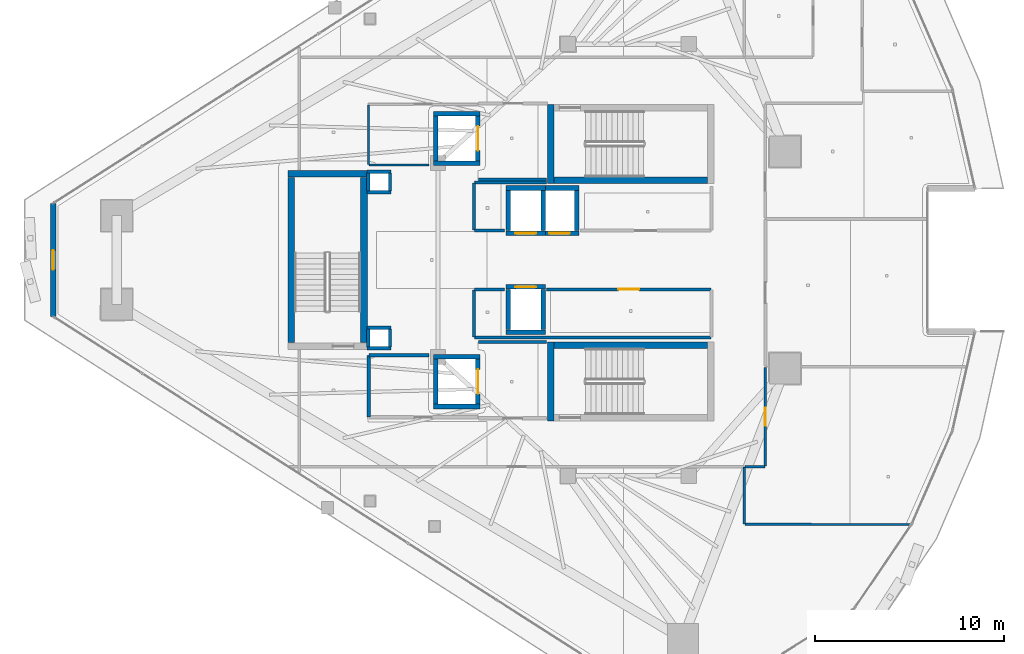
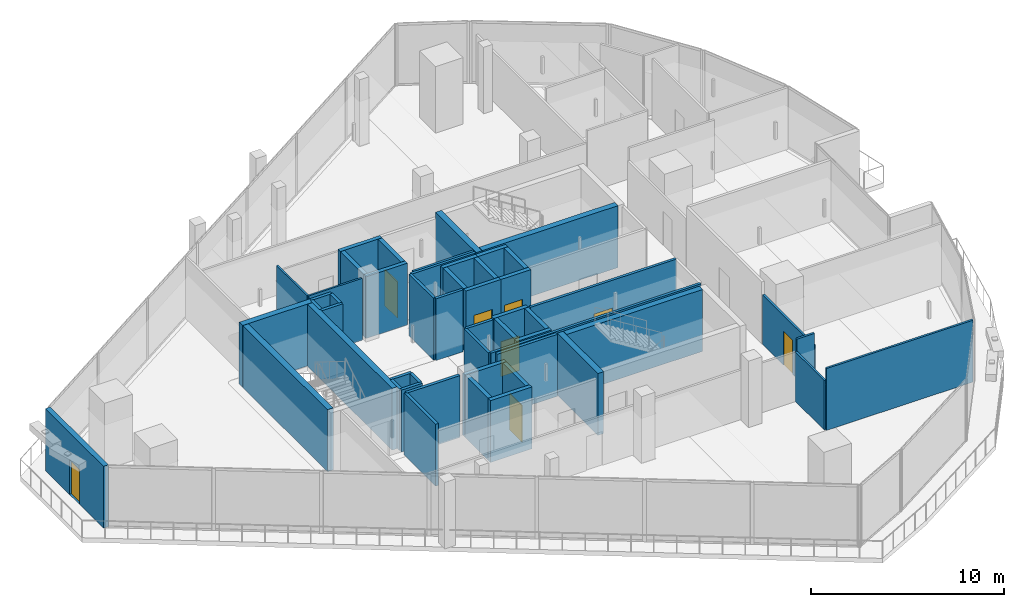
# One storey, part 25 of 34: 52 walls, 8 doors, 8 openings.
"""IFC4 building model written with IfcOpenShell, lengths in metres."""

from ifc_helpers import new_model, si_unit, direction, frame, frame_2d, origin, place, context, subcontext, project, spatial, rectangle, extrude, material, layer, layer_set, type_object, element, fill, save


model = new_model("IFC4")

# Units and contexts
model_context = context("Model", 3, precision=1e-05, world=origin(), true_north=direction((0.0, 1.0)))
body_context = subcontext(model_context, "Body", "Model", "MODEL_VIEW")
ifc_project = project(units=[si_unit("LENGTHUNIT", "METRE"), si_unit("AREAUNIT", "SQUARE_METRE"), si_unit("VOLUMEUNIT", "CUBIC_METRE"), si_unit("PLANEANGLEUNIT", "RADIAN"), si_unit("MASSUNIT", "GRAM", prefix="KILO")], contexts=[model_context])

# Site, building, storey
site_placement = place(None, origin())
site = spatial("IfcSite", under=ifc_project, at=site_placement, CompositionType="ELEMENT")
building_placement = place(site_placement, origin())
building = spatial("IfcBuilding", under=site, at=building_placement, Name="Qorvath Tower", CompositionType="ELEMENT")
storey_placement = place(building_placement, frame((0.0, 0.0, 268.199951171875)))
storey = spatial("IfcBuildingStorey", under=building, at=storey_placement, Name="L62", CompositionType="ELEMENT", Elevation=268.199951171875)

# Walls
ifc_material_1 = material(Name="Gypsum shaftliner on steel studs", Category="steel")
ifc_layer_1 = layer(ifc_material_1, 0.179931640625)
ifc_layer_set_1 = layer_set([ifc_layer_1], Name="FW-LOBBY")
wall_type_1 = type_object("IfcWallType", Name="FW-LOBBY", PredefinedType="PARTITIONING", material=ifc_layer_set_1)
for number, where, z_axis, x_axis, name in (
    (1, (-32.989990234375, 3.594970703125, 0.0), (0.0, 0.0, 1.0), (-1.0, 0.0, 0.0), "MEP Riser Shaft Enclosure Wall N-L62-S"),
    (2, (-34.260009765625, 4.675048828125, 0.0), (0.0, 0.0, 1.0), (1.0, 0.0, 0.0), "MEP Riser Shaft Enclosure Wall N-L62-N"),
):
    element("IfcWall", number, at=place(storey_placement, frame(where, z_axis=z_axis, x_axis=x_axis)), inside=storey, type_object=wall_type_1, Name=name, PredefinedType="PARTITIONING", context=body_context, shape_type="SweptSolid", body=[
        extrude(rectangle(XDim=1.27001953125, YDim=0.179931640625, at=frame_2d((0.635009765625, 0.0))), origin(), (0.0, 0.0, 1.0), 3.91015625),
    ])
for number, where, z_axis, x_axis, name in (
    (3, (-34.205078125, 3.659912109375, 0.0), (0.0, 0.0, 1.0), (0.0, 1.0, 0.0), "MEP Riser Shaft Enclosure Wall N-L62-W"),
    (4, (-33.044921875, 4.610107421875, 0.0), (0.0, 0.0, 1.0), (0.0, -1.0, 0.0), "MEP Riser Shaft Enclosure Wall N-L62-E"),
):
    element("IfcWall", number, at=place(storey_placement, frame(where, z_axis=z_axis, x_axis=x_axis)), inside=storey, type_object=wall_type_1, Name=name, PredefinedType="PARTITIONING", context=body_context, shape_type="SweptSolid", body=[
        extrude(rectangle(XDim=0.9501953125, YDim=0.179931640625, at=frame_2d((0.47509765625, 0.0))), origin(), (0.0, 0.0, 1.0), 3.91015625),
    ])
for number, where, z_axis, x_axis, name in (
    (5, (-32.989990234375, -4.675048828125, 0.0), (0.0, 0.0, 1.0), (-1.0, 0.0, 0.0), "MEP Riser Shaft Enclosure Wall S-L62-S"),
    (6, (-34.260009765625, -3.594970703125, 0.0), (0.0, 0.0, 1.0), (1.0, 0.0, 0.0), "MEP Riser Shaft Enclosure Wall S-L62-N"),
):
    element("IfcWall", number, at=place(storey_placement, frame(where, z_axis=z_axis, x_axis=x_axis)), inside=storey, type_object=wall_type_1, Name=name, PredefinedType="PARTITIONING", context=body_context, shape_type="SweptSolid", body=[
        extrude(rectangle(XDim=1.27001953125, YDim=0.179931640625, at=frame_2d((0.635009765625, 0.0))), origin(), (0.0, 0.0, 1.0), 3.91015625),
    ])
for number, where, z_axis, x_axis, name in (
    (7, (-34.205078125, -4.610107421875, 0.0), (0.0, 0.0, 1.0), (0.0, 1.0, 0.0), "MEP Riser Shaft Enclosure Wall S-L62-W"),
    (8, (-33.044921875, -3.659912109375, 0.0), (0.0, 0.0, 1.0), (0.0, -1.0, 0.0), "MEP Riser Shaft Enclosure Wall S-L62-E"),
):
    element("IfcWall", number, at=place(storey_placement, frame(where, z_axis=z_axis, x_axis=x_axis)), inside=storey, type_object=wall_type_1, Name=name, PredefinedType="PARTITIONING", context=body_context, shape_type="SweptSolid", body=[
        extrude(rectangle(XDim=0.9501953125, YDim=0.179931640625, at=frame_2d((0.47509765625, 0.0))), origin(), (0.0, 0.0, 1.0), 3.91015625),
    ])
for number, where, z_axis, x_axis, name in (
    (9, (-28.35498046875, 4.25, 0.0), (0.0, 0.0, 1.0), (1.0, 0.0, 0.0), "Interior Partition IW-T1-L62-001"),
    (10, (-24.73291015625, -4.35009765625, 0.0), (0.0, 0.0, 1.0), (-1.0, 0.0, 0.0), "Interior Partition IW-T1-L62-004"),
):
    element("IfcWall", number, at=place(storey_placement, frame(where, z_axis=z_axis, x_axis=x_axis)), inside=storey, type_object=wall_type_1, Name=name, PredefinedType="PARTITIONING", context=body_context, shape_type="SweptSolid", body=[
        extrude(rectangle(XDim=3.6220703125, YDim=0.179931640625, at=frame_2d((1.81103515625, 0.0))), origin(), (0.0, 0.0, 1.0), 3.91015625),
    ])
wall_1_placement = place(storey_placement, frame((-30.965087890625, -5.050048828125, 0.0), z_axis=(0.0, 0.0, 1.0), x_axis=(-1.0, 0.0, 0.0)))
element("IfcWall", 11, at=wall_1_placement, inside=storey, type_object=wall_type_1, Name="Interior Partition IW-T1-L62-018", PredefinedType="PARTITIONING", context=body_context, shape_type="SweptSolid", body=[
    extrude(rectangle(XDim=3.189697265625, YDim=0.179931640625, at=frame_2d((1.5947265625, 0.0))), origin(), (0.0, 0.0, 1.0), 3.91015625),
])
wall_2_placement = place(storey_placement, frame((-34.179931640625, -5.074951171875, 0.0), z_axis=(0.0, 0.0, 1.0), x_axis=(0.0, -1.0, 0.0)))
element("IfcWall", 12, at=wall_2_placement, inside=storey, type_object=wall_type_1, Name="Interior Partition IW-T1-L62-019", PredefinedType="PARTITIONING", context=body_context, shape_type="SweptSolid", body=[
    extrude(rectangle(XDim=3.250244140625, YDim=0.179931640625, at=frame_2d((1.625, 0.0))), origin(), (0.0, 0.0, 1.0), 3.91015625),
])
ifc_material_2 = material(Name="Double acoustic gypsum board on steel studs", Category="steel")
ifc_layer_2 = layer(ifc_material_2, 0.159912109375)
ifc_layer_set_2 = layer_set([ifc_layer_2], Name="IW-ACOUSTIC-160")
wall_type_2 = type_object("IfcWallType", Name="IW-ACOUSTIC-160", PredefinedType="PARTITIONING", material=ifc_layer_set_2)
wall_3_placement = place(storey_placement, frame((-28.60009765625, 4.09521484375, 0.0), z_axis=(0.0, 0.0, 1.0), x_axis=(0.0, -1.0, 0.0)))
element("IfcWall", 13, at=wall_3_placement, inside=storey, type_object=wall_type_2, Name="Interior Partition IW-T1-L62-008", PredefinedType="PARTITIONING", context=body_context, shape_type="SweptSolid", body=[
    extrude(rectangle(XDim=2.510009765625, YDim=0.159912109375, at=frame_2d((1.2548828125, 0.0))), origin(), (0.0, 0.0, 1.0), 3.91015625),
])
wall_4_placement = place(storey_placement, frame((-28.5751953125, 1.56005859375, 0.0), z_axis=(0.0, 0.0, 1.0), x_axis=(1.0, 0.0, 0.0)))
element("IfcWall", 14, at=wall_4_placement, inside=storey, type_object=wall_type_2, Name="Interior Partition IW-T1-L62-009", PredefinedType="PARTITIONING", context=body_context, shape_type="SweptSolid", body=[
    extrude(rectangle(XDim=1.609130859375, YDim=0.159912109375, at=frame_2d((0.8046875, 0.0))), origin(), (0.0, 0.0, 1.0), 3.91015625),
])
wall_5_placement = place(storey_placement, frame((-24.73291015625, 4.1201171875, 0.0), z_axis=(0.0, 0.0, 1.0), x_axis=(-1.0, 0.0, 0.0)))
element("IfcWall", 15, at=wall_5_placement, inside=storey, type_object=wall_type_2, Name="Interior Partition IW-T1-L62-012", PredefinedType="PARTITIONING", context=body_context, shape_type="SweptSolid", body=[
    extrude(rectangle(XDim=3.84228515625, YDim=0.159912109375, at=frame_2d((1.921142578125, 0.0))), origin(), (0.0, 0.0, 1.0), 3.91015625),
])
wall_6_placement = place(storey_placement, frame((-28.60009765625, -1.585205078125, 0.0), z_axis=(0.0, 0.0, 1.0), x_axis=(0.0, -1.0, 0.0)))
element("IfcWall", 16, at=wall_6_placement, inside=storey, type_object=wall_type_2, Name="Interior Partition IW-T1-L62-013", PredefinedType="PARTITIONING", context=body_context, shape_type="SweptSolid", body=[
    extrude(rectangle(XDim=2.510009765625, YDim=0.159912109375, at=frame_2d((1.2548828125, 0.0))), origin(), (0.0, 0.0, 1.0), 3.91015625),
])
wall_7_placement = place(storey_placement, frame((-28.5751953125, -4.1201171875, 0.0), z_axis=(0.0, 0.0, 1.0), x_axis=(1.0, 0.0, 0.0)))
element("IfcWall", 17, at=wall_7_placement, inside=storey, type_object=wall_type_2, Name="Interior Partition IW-T1-L62-014", PredefinedType="PARTITIONING", context=body_context, shape_type="SweptSolid", body=[
    extrude(rectangle(XDim=12.55029296875, YDim=0.159912109375, at=frame_2d((6.275146484375, 0.0))), origin(), (0.0, 0.0, 1.0), 3.91015625),
])

# Wall, opening, door
wall_8_placement = place(storey_placement, frame((-16.02490234375, -1.56005859375, 0.0), z_axis=(0.0, 0.0, 1.0), x_axis=(-1.0, 0.0, 0.0)))
wall_8 = element("IfcWall", 18, at=wall_8_placement, inside=storey, type_object=wall_type_2, Name="Interior Partition IW-T1-L62-016", PredefinedType="PARTITIONING", context=body_context, shape_type="SweptSolid", body=[
    extrude(rectangle(XDim=8.708984375, YDim=0.159912109375, at=frame_2d((4.3544921875, 0.0))), origin(), (0.0, 0.0, 1.0), 3.91015625),
])
opening_1_placement = place(wall_8_placement, frame((3.804443359375, 0.0, 0.0)))
opening_1 = element("IfcOpeningElement", 19, at=opening_1_placement, cuts=wall_8, Name="Opening D-T1-L62-05", PredefinedType="OPENING", context=body_context, shape_type="SweptSolid", body=[
    extrude(rectangle(XDim=1.10009765625, YDim=2.14990234375, at=frame_2d((0.550048828125, 1.074951171875))), frame((0.0, 0.08984375, 0.0), z_axis=(0.0, -1.0, 0.0), x_axis=(1.0, 0.0, 0.0)), (0.0, 0.0, 1.0), 0.179931640625),
])
ifc_material_3 = material(Name="Anodised aluminium acoustic framed glass", Category="aluminium")
door_type_1 = type_object("IfcDoorType", Name="D-03", OperationType="NOTDEFINED", PredefinedType="DOOR", material=ifc_material_3)
door_1_placement = place(opening_1_placement, origin())
door_1 = element("IfcDoor", 20, at=door_1_placement, inside=storey, type_object=door_type_1, Name="L62-RCS South Executive Boardroom Door D-T1-L62-05", OperationType="SINGLE_SWING_RIGHT", OverallHeight=2.14990234375, OverallWidth=1.10009765625, PredefinedType="DOOR", context=body_context, shape_type="SweptSolid", body=[
    extrude(rectangle(XDim=1.10009765625, YDim=2.14990234375, at=frame_2d((0.550048828125, 1.074951171875))), frame((0.0, 0.02490234375, 0.0), z_axis=(0.0, -1.0, 0.0), x_axis=(1.0, 0.0, 0.0)), (0.0, 0.0, 1.0), 0.050048828125),
])
fill(opening_1, door_1)

# Walls
wall_9_placement = place(storey_placement, frame((-26.966064453125, -1.56005859375, 0.0), z_axis=(0.0, 0.0, 1.0), x_axis=(-1.0, 0.0, 0.0)))
element("IfcWall", 21, at=wall_9_placement, inside=storey, type_object=wall_type_2, Name="Interior Partition IW-T1-L62-017", PredefinedType="PARTITIONING", context=body_context, shape_type="SweptSolid", body=[
    extrude(rectangle(XDim=1.609130859375, YDim=0.159912109375, at=frame_2d((0.8046875, 0.0))), origin(), (0.0, 0.0, 1.0), 3.91015625),
])
ifc_material_4 = material(Name="Gypsum board on metal studs with mineral wool", Category="gypsum")
ifc_layer_3 = layer(ifc_material_4, 0.125)
ifc_layer_set_3 = layer_set([ifc_layer_3], Name="IW-PART-125")
wall_type_3 = type_object("IfcWallType", Name="IW-PART-125", PredefinedType="PARTITIONING", material=ifc_layer_set_3)
wall_10_placement = place(storey_placement, frame((-14.22509765625, -14.021484375, 0.0), z_axis=(0.0, 0.0, 1.0), x_axis=(0.999999627134, -0.000863557536, 0.0)))
element("IfcWall", 22, at=wall_10_placement, inside=storey, type_object=wall_type_3, Name="Interior Partition IW-T1-L62-021", PredefinedType="PARTITIONING", context=body_context, shape_type="SweptSolid", body=[
    extrude(rectangle(XDim=8.76416015625, YDim=0.125, at=frame_2d((4.382080078125, 0.0))), origin(), (0.0, 0.0, 1.0), 3.91015625),
])
wall_11_placement = place(storey_placement, frame((-14.25, -13.99658203125, 0.0), z_axis=(0.0, 0.0, 1.0), x_axis=(0.0, 1.0, 0.0)))
element("IfcWall", 23, at=wall_11_placement, inside=storey, type_object=wall_type_3, Name="Interior Partition IW-T1-L62-022", PredefinedType="PARTITIONING", context=body_context, shape_type="SweptSolid", body=[
    extrude(rectangle(XDim=3.013671875, YDim=0.125, at=frame_2d((1.5068359375, 0.0))), origin(), (0.0, 0.0, 1.0), 3.130126953125),
])

# Wall, opening, door
wall_12_placement = place(storey_placement, frame((-13.14208984375, -5.691650390625, 0.0), z_axis=(0.0, 0.0, 1.0), x_axis=(0.0, -1.0, 0.0)))
wall_12 = element("IfcWall", 24, at=wall_12_placement, inside=storey, type_object=wall_type_3, Name="Interior Partition IW-T1-L62-029", PredefinedType="PARTITIONING", context=body_context, shape_type="SweptSolid", body=[
    extrude(rectangle(XDim=5.241455078125, YDim=0.125, at=frame_2d((2.62060546875, 0.0))), origin(), (0.0, 0.0, 1.0), 3.130126953125),
])
opening_2_placement = place(wall_12_placement, frame((2.145751953125, 0.0, 0.0)))
opening_2 = element("IfcOpeningElement", 25, at=opening_2_placement, cuts=wall_12, Name="Opening D-T1-L62-08", PredefinedType="OPENING", context=body_context, shape_type="SweptSolid", body=[
    extrude(rectangle(XDim=0.949951171875, YDim=2.14990234375, at=frame_2d((0.47509765625, 1.074951171875))), frame((0.0, 0.072509765625, 0.0), z_axis=(0.0, -1.0, 0.0), x_axis=(1.0, 0.0, 0.0)), (0.0, 0.0, 1.0), 0.14501953125),
])
ifc_material_5 = material(Name="Solid-core American white oak veneer", Category="wood")
door_type_2 = type_object("IfcDoorType", Name="D-01", OperationType="NOTDEFINED", PredefinedType="DOOR", material=ifc_material_5)
door_2_placement = place(opening_2_placement, origin())
door_2 = element("IfcDoor", 26, at=door_2_placement, inside=storey, type_object=door_type_2, Name="L62-02 Staff Refreshment Pantry and Coffee Bar Door D-T1-L62-08", OperationType="SINGLE_SWING_LEFT", OverallHeight=2.14990234375, OverallWidth=0.949951171875, PredefinedType="DOOR", context=body_context, shape_type="SweptSolid", body=[
    extrude(rectangle(XDim=0.949951171875, YDim=2.14990234375, at=frame_2d((0.47509765625, 1.074951171875))), frame((0.0, 0.02490234375, 0.0), z_axis=(0.0, -1.0, 0.0), x_axis=(1.0, 0.0, 0.0)), (0.0, 0.0, 1.0), 0.050048828125),
])
fill(opening_2, door_2)

# Walls
wall_13_placement = place(storey_placement, frame((-14.216796875, -10.9580078125, 0.0), z_axis=(0.0, 0.0, 1.0), x_axis=(1.0, 0.0, 0.0)))
element("IfcWall", 27, at=wall_13_placement, inside=storey, type_object=wall_type_3, Name="Interior Partition IW-T1-L62-030", PredefinedType="PARTITIONING", context=body_context, shape_type="SweptSolid", body=[
    extrude(rectangle(XDim=1.0498046875, YDim=0.125, at=frame_2d((0.52490234375, 0.0))), origin(), (0.0, 0.0, 1.0), 3.91015625),
])
ifc_material_6 = material(Name="Moisture-resistant cement board on metal studs", Category="gypsum")
ifc_layer_4 = layer(ifc_material_6, 0.110107421875)
ifc_layer_set_4 = layer_set([ifc_layer_4], Name="IW-WC-110")
wall_type_4 = type_object("IfcWallType", Name="IW-WC-110", PredefinedType="PARTITIONING", material=ifc_layer_set_4)
wall_14_placement = place(storey_placement, frame((-34.179931640625, 8.22509765625, 0.0), z_axis=(0.0, 0.0, 1.0), x_axis=(0.0, -1.0, 0.0)))
element("IfcWall", 28, at=wall_14_placement, inside=storey, type_object=wall_type_4, Name="Interior Partition IW-T1-L62-005", PredefinedType="PARTITIONING", context=body_context, shape_type="SweptSolid", body=[
    extrude(rectangle(XDim=3.150146484375, YDim=0.110107421875, at=frame_2d((1.5751953125, 0.0))), origin(), (0.0, 0.0, 1.0), 3.91015625),
])
wall_15_placement = place(storey_placement, frame((-34.15478515625, 5.050048828125, 0.0), z_axis=(0.0, 0.0, 1.0), x_axis=(1.0, 0.0, 0.0)))
element("IfcWall", 29, at=wall_15_placement, inside=storey, type_object=wall_type_4, Name="Interior Partition IW-T1-L62-006", PredefinedType="PARTITIONING", context=body_context, shape_type="SweptSolid", body=[
    extrude(rectangle(XDim=3.189697265625, YDim=0.110107421875, at=frame_2d((1.5947265625, 0.0))), origin(), (0.0, 0.0, 1.0), 3.91015625),
])
ifc_material_7 = material(Name="Concrete C60/75", Category="concrete")
ifc_layer_5 = layer(ifc_material_7, 0.260009765625)
ifc_layer_set_5 = layer_set([ifc_layer_5], Name="SW-SHAFT")
wall_type_5 = type_object("IfcWallType", Name="SW-SHAFT", PredefinedType="SHEAR", material=ifc_layer_set_5)
for number, where, z_axis, x_axis, name in (
    (30, (-28.260009765625, 5.1298828125, 0.0), (0.0, 0.0, 1.0), (-1.0, 0.0, 0.0), "Hoistway Wall FSAE-1 L62 S"),
    (31, (-30.739990234375, 7.77001953125, 0.0), (0.0, 0.0, 1.0), (1.0, 0.0, 0.0), "Hoistway Wall FSAE-1 L62 N"),
):
    element("IfcWall", number, at=place(storey_placement, frame(where, z_axis=z_axis, x_axis=x_axis)), inside=storey, type_object=wall_type_5, Name=name, PredefinedType="SHEAR", context=body_context, shape_type="SweptSolid", body=[
        extrude(rectangle(XDim=2.47998046875, YDim=0.239990234375, at=frame_2d((1.239990234375, 0.0))), origin(), (0.0, 0.0, 1.0), 3.91015625),
    ])
wall_16_placement = place(storey_placement, frame((-30.6201171875, 5.261962890625, 0.0), z_axis=(0.0, 0.0, 1.0), x_axis=(0.0, 1.0, 0.0)))
element("IfcWall", 32, at=wall_16_placement, inside=storey, type_object=wall_type_5, Name="Hoistway Wall FSAE-1 L62 W", PredefinedType="SHEAR", context=body_context, shape_type="SweptSolid", body=[
    extrude(rectangle(XDim=2.3759765625, YDim=0.239990234375, at=frame_2d((1.18798828125, 0.0))), origin(), (0.0, 0.0, 1.0), 3.91015625),
])

# Wall, opening, door
wall_17_placement = place(storey_placement, frame((-28.3798828125, 7.637939453125, 0.0), z_axis=(0.0, 0.0, 1.0), x_axis=(0.0, -1.0, 0.0)))
wall_17 = element("IfcWall", 33, at=wall_17_placement, inside=storey, type_object=wall_type_5, Name="Hoistway Wall FSAE-1 L62 E", PredefinedType="SHEAR", context=body_context, shape_type="SweptSolid", body=[
    extrude(rectangle(XDim=2.3759765625, YDim=0.239990234375, at=frame_2d((1.18798828125, 0.0))), origin(), (0.0, 0.0, 1.0), 3.91015625),
])
opening_3_placement = place(wall_17_placement, frame((0.537841796875, 0.0, 0.0)))
opening_3 = element("IfcOpeningElement", 34, at=opening_3_placement, cuts=wall_17, Name="Opening LD-FSAE-1-L62", PredefinedType="OPENING", context=body_context, shape_type="SweptSolid", body=[
    extrude(rectangle(XDim=1.300048828125, YDim=2.300048828125, at=frame_2d((0.64990234375, 1.14990234375))), frame((0.0, 0.1298828125, 0.0), z_axis=(0.0, -1.0, 0.0), x_axis=(1.0, 0.0, 0.0)), (0.0, 0.0, 1.0), 0.260009765625),
])
ifc_material_8 = material(Name="Brushed stainless steel AISI 316", Category="steel")
door_type_3 = type_object("IfcDoorType", Name="LD-02", OperationType="NOTDEFINED", PredefinedType="DOOR", material=ifc_material_8)
door_3_placement = place(opening_3_placement, origin())
door_3 = element("IfcDoor", 35, at=door_3_placement, inside=storey, type_object=door_type_3, Name="Elevator Landing Sliding Door LD-FSAE-1-L62", OperationType="DOUBLE_DOOR_SLIDING", OverallHeight=2.300048828125, OverallWidth=1.300048828125, PredefinedType="DOOR", context=body_context, shape_type="SweptSolid", body=[
    extrude(rectangle(XDim=1.300048828125, YDim=2.300048828125, at=frame_2d((0.64990234375, 1.14990234375))), frame((0.0, 0.02490234375, 0.0), z_axis=(0.0, -1.0, 0.0), x_axis=(1.0, 0.0, 0.0)), (0.0, 0.0, 1.0), 0.050048828125),
])
fill(opening_3, door_3)

# Walls
for number, where, z_axis, x_axis, name in (
    (36, (-28.260009765625, -7.77001953125, 0.0), (0.0, 0.0, 1.0), (-1.0, 0.0, 0.0), "Hoistway Wall FSAE-2 L62 S"),
    (37, (-30.739990234375, -5.1298828125, 0.0), (0.0, 0.0, 1.0), (1.0, 0.0, 0.0), "Hoistway Wall FSAE-2 L62 N"),
):
    element("IfcWall", number, at=place(storey_placement, frame(where, z_axis=z_axis, x_axis=x_axis)), inside=storey, type_object=wall_type_5, Name=name, PredefinedType="SHEAR", context=body_context, shape_type="SweptSolid", body=[
        extrude(rectangle(XDim=2.47998046875, YDim=0.239990234375, at=frame_2d((1.239990234375, 0.0))), origin(), (0.0, 0.0, 1.0), 3.91015625),
    ])
wall_18_placement = place(storey_placement, frame((-30.6201171875, -7.637939453125, 0.0), z_axis=(0.0, 0.0, 1.0), x_axis=(0.0, 1.0, 0.0)))
element("IfcWall", 38, at=wall_18_placement, inside=storey, type_object=wall_type_5, Name="Hoistway Wall FSAE-2 L62 W", PredefinedType="SHEAR", context=body_context, shape_type="SweptSolid", body=[
    extrude(rectangle(XDim=2.3759765625, YDim=0.239990234375, at=frame_2d((1.18798828125, 0.0))), origin(), (0.0, 0.0, 1.0), 3.91015625),
])

# Wall, opening, door
wall_19_placement = place(storey_placement, frame((-28.3798828125, -5.261962890625, 0.0), z_axis=(0.0, 0.0, 1.0), x_axis=(0.0, -1.0, 0.0)))
wall_19 = element("IfcWall", 39, at=wall_19_placement, inside=storey, type_object=wall_type_5, Name="Hoistway Wall FSAE-2 L62 E", PredefinedType="SHEAR", context=body_context, shape_type="SweptSolid", body=[
    extrude(rectangle(XDim=2.3759765625, YDim=0.239990234375, at=frame_2d((1.18798828125, 0.0))), origin(), (0.0, 0.0, 1.0), 3.91015625),
])
opening_4_placement = place(wall_19_placement, frame((0.5380859375, 0.0, 0.0)))
opening_4 = element("IfcOpeningElement", 40, at=opening_4_placement, cuts=wall_19, Name="Opening LD-FSAE-2-L62", PredefinedType="OPENING", context=body_context, shape_type="SweptSolid", body=[
    extrude(rectangle(XDim=1.300048828125, YDim=2.300048828125, at=frame_2d((0.64990234375, 1.14990234375))), frame((0.0, 0.1298828125, 0.0), z_axis=(0.0, -1.0, 0.0), x_axis=(1.0, 0.0, 0.0)), (0.0, 0.0, 1.0), 0.260009765625),
])
door_4_placement = place(opening_4_placement, origin())
door_4 = element("IfcDoor", 41, at=door_4_placement, inside=storey, type_object=door_type_3, Name="Elevator Landing Sliding Door LD-FSAE-2-L62", OperationType="DOUBLE_DOOR_SLIDING", OverallHeight=2.300048828125, OverallWidth=1.300048828125, PredefinedType="DOOR", context=body_context, shape_type="SweptSolid", body=[
    extrude(rectangle(XDim=1.300048828125, YDim=2.300048828125, at=frame_2d((0.64990234375, 1.14990234375))), frame((0.0, 0.02490234375, 0.0), z_axis=(0.0, -1.0, 0.0), x_axis=(1.0, 0.0, 0.0)), (0.0, 0.0, 1.0), 0.050048828125),
])
fill(opening_4, door_4)

wall_20_placement = place(storey_placement, frame((-24.81005859375, 1.429931640625, 0.0), z_axis=(0.0, 0.0, 1.0), x_axis=(-1.0, 0.0, 0.0)))
wall_20 = element("IfcWall", 42, at=wall_20_placement, inside=storey, type_object=wall_type_5, Name="Hoistway Wall PH-1 L62 S", PredefinedType="SHEAR", context=body_context, shape_type="SweptSolid", body=[
    extrude(rectangle(XDim=2.079833984375, YDim=0.239990234375, at=frame_2d((1.0400390625, 0.0))), origin(), (0.0, 0.0, 1.0), 3.91015625),
])
opening_5_placement = place(wall_20_placement, frame((0.489990234375, 0.0, 0.0)))
opening_5 = element("IfcOpeningElement", 43, at=opening_5_placement, cuts=wall_20, Name="Opening LD-PH-1-L62", PredefinedType="OPENING", context=body_context, shape_type="SweptSolid", body=[
    extrude(rectangle(XDim=1.10009765625, YDim=2.199951171875, at=frame_2d((0.550048828125, 1.10009765625))), frame((0.0, 0.1298828125, 0.0), z_axis=(0.0, -1.0, 0.0), x_axis=(1.0, 0.0, 0.0)), (0.0, 0.0, 1.0), 0.260009765625),
])
ifc_material_9 = material(Name="Brushed stainless steel AISI 316", Category="steel")
door_type_4 = type_object("IfcDoorType", Name="LD-01", OperationType="NOTDEFINED", PredefinedType="DOOR", material=ifc_material_9)
door_5_placement = place(opening_5_placement, origin())
door_5 = element("IfcDoor", 44, at=door_5_placement, inside=storey, type_object=door_type_4, Name="Elevator Landing Sliding Door LD-PH-1-L62", OperationType="DOUBLE_DOOR_SLIDING", OverallHeight=2.199951171875, OverallWidth=1.10009765625, PredefinedType="DOOR", context=body_context, shape_type="SweptSolid", body=[
    extrude(rectangle(XDim=1.10009765625, YDim=2.199951171875, at=frame_2d((0.550048828125, 1.10009765625))), frame((0.0, 0.02490234375, 0.0), z_axis=(0.0, -1.0, 0.0), x_axis=(1.0, 0.0, 0.0)), (0.0, 0.0, 1.0), 0.050048828125),
])
fill(opening_5, door_5)

# Walls
wall_21_placement = place(storey_placement, frame((-26.889892578125, 3.820068359375, 0.0), z_axis=(0.0, 0.0, 1.0), x_axis=(1.0, 0.0, 0.0)))
element("IfcWall", 45, at=wall_21_placement, inside=storey, type_object=wall_type_5, Name="Hoistway Wall PH-1 L62 N", PredefinedType="SHEAR", context=body_context, shape_type="SweptSolid", body=[
    extrude(rectangle(XDim=2.079833984375, YDim=0.239990234375, at=frame_2d((1.0400390625, 0.0))), origin(), (0.0, 0.0, 1.0), 3.91015625),
])
for number, where, z_axis, x_axis, name in (
    (46, (-26.77001953125, 1.56201171875, 0.0), (0.0, 0.0, 1.0), (0.0, 1.0, 0.0), "Hoistway Wall PH-1 L62 W"),
    (47, (-24.929931640625, 3.68798828125, 0.0), (0.0, 0.0, 1.0), (0.0, -1.0, 0.0), "Hoistway Wall PH-1 L62 E"),
):
    element("IfcWall", number, at=place(storey_placement, frame(where, z_axis=z_axis, x_axis=x_axis)), inside=storey, type_object=wall_type_5, Name=name, PredefinedType="SHEAR", context=body_context, shape_type="SweptSolid", body=[
        extrude(rectangle(XDim=2.1259765625, YDim=0.239990234375, at=frame_2d((1.06298828125, 0.0))), origin(), (0.0, 0.0, 1.0), 3.91015625),
    ])

# Wall, opening, door
wall_22_placement = place(storey_placement, frame((-23.010009765625, 1.429931640625, 0.0), z_axis=(0.0, 0.0, 1.0), x_axis=(-1.0, 0.0, 0.0)))
wall_22 = element("IfcWall", 48, at=wall_22_placement, inside=storey, type_object=wall_type_5, Name="Hoistway Wall PH-2 L62 S", PredefinedType="SHEAR", context=body_context, shape_type="SweptSolid", body=[
    extrude(rectangle(XDim=1.800048828125, YDim=0.239990234375, at=frame_2d((0.89990234375, 0.0))), origin(), (0.0, 0.0, 1.0), 3.91015625),
])
opening_6_placement = place(wall_22_placement, frame((0.489990234375, 0.0, 0.0)))
opening_6 = element("IfcOpeningElement", 49, at=opening_6_placement, cuts=wall_22, Name="Opening LD-PH-2-L62", PredefinedType="OPENING", context=body_context, shape_type="SweptSolid", body=[
    extrude(rectangle(XDim=1.10009765625, YDim=2.199951171875, at=frame_2d((0.550048828125, 1.10009765625))), frame((0.0, 0.1298828125, 0.0), z_axis=(0.0, -1.0, 0.0), x_axis=(1.0, 0.0, 0.0)), (0.0, 0.0, 1.0), 0.260009765625),
])
door_6_placement = place(opening_6_placement, origin())
door_6 = element("IfcDoor", 50, at=door_6_placement, inside=storey, type_object=door_type_4, Name="Elevator Landing Sliding Door LD-PH-2-L62", OperationType="DOUBLE_DOOR_SLIDING", OverallHeight=2.199951171875, OverallWidth=1.10009765625, PredefinedType="DOOR", context=body_context, shape_type="SweptSolid", body=[
    extrude(rectangle(XDim=1.10009765625, YDim=2.199951171875, at=frame_2d((0.550048828125, 1.10009765625))), frame((0.0, 0.02490234375, 0.0), z_axis=(0.0, -1.0, 0.0), x_axis=(1.0, 0.0, 0.0)), (0.0, 0.0, 1.0), 0.050048828125),
])
fill(opening_6, door_6)

# Walls
wall_23_placement = place(storey_placement, frame((-24.81005859375, 3.820068359375, 0.0), z_axis=(0.0, 0.0, 1.0), x_axis=(1.0, 0.0, 0.0)))
element("IfcWall", 51, at=wall_23_placement, inside=storey, type_object=wall_type_5, Name="Hoistway Wall PH-2 L62 N", PredefinedType="SHEAR", context=body_context, shape_type="SweptSolid", body=[
    extrude(rectangle(XDim=1.800048828125, YDim=0.239990234375, at=frame_2d((0.89990234375, 0.0))), origin(), (0.0, 0.0, 1.0), 3.91015625),
])
wall_24_placement = place(storey_placement, frame((-23.1298828125, 3.68798828125, 0.0), z_axis=(0.0, 0.0, 1.0), x_axis=(0.0, -1.0, 0.0)))
element("IfcWall", 52, at=wall_24_placement, inside=storey, type_object=wall_type_5, Name="Hoistway Wall PH-2 L62 E", PredefinedType="SHEAR", context=body_context, shape_type="SweptSolid", body=[
    extrude(rectangle(XDim=2.1259765625, YDim=0.239990234375, at=frame_2d((1.06298828125, 0.0))), origin(), (0.0, 0.0, 1.0), 3.91015625),
])
wall_25_placement = place(storey_placement, frame((-24.81005859375, -3.820068359375, 0.0), z_axis=(0.0, 0.0, 1.0), x_axis=(-1.0, 0.0, 0.0)))
element("IfcWall", 53, at=wall_25_placement, inside=storey, type_object=wall_type_5, Name="Hoistway Wall PH-3 L62 S", PredefinedType="SHEAR", context=body_context, shape_type="SweptSolid", body=[
    extrude(rectangle(XDim=2.079833984375, YDim=0.239990234375, at=frame_2d((1.0400390625, 0.0))), origin(), (0.0, 0.0, 1.0), 3.91015625),
])

# Wall, opening, door
wall_26_placement = place(storey_placement, frame((-26.889892578125, -1.429931640625, 0.0), z_axis=(0.0, 0.0, 1.0), x_axis=(1.0, 0.0, 0.0)))
wall_26 = element("IfcWall", 54, at=wall_26_placement, inside=storey, type_object=wall_type_5, Name="Hoistway Wall PH-3 L62 N", PredefinedType="SHEAR", context=body_context, shape_type="SweptSolid", body=[
    extrude(rectangle(XDim=2.079833984375, YDim=0.239990234375, at=frame_2d((1.0400390625, 0.0))), origin(), (0.0, 0.0, 1.0), 3.91015625),
])
opening_7_placement = place(wall_26_placement, frame((0.48974609375, 0.0, 0.0)))
opening_7 = element("IfcOpeningElement", 55, at=opening_7_placement, cuts=wall_26, Name="Opening LD-PH-3-L62", PredefinedType="OPENING", context=body_context, shape_type="SweptSolid", body=[
    extrude(rectangle(XDim=1.10009765625, YDim=2.199951171875, at=frame_2d((0.550048828125, 1.10009765625))), frame((0.0, 0.1298828125, 0.0), z_axis=(0.0, -1.0, 0.0), x_axis=(1.0, 0.0, 0.0)), (0.0, 0.0, 1.0), 0.260009765625),
])
door_7_placement = place(opening_7_placement, origin())
door_7 = element("IfcDoor", 56, at=door_7_placement, inside=storey, type_object=door_type_4, Name="Elevator Landing Sliding Door LD-PH-3-L62", OperationType="DOUBLE_DOOR_SLIDING", OverallHeight=2.199951171875, OverallWidth=1.10009765625, PredefinedType="DOOR", context=body_context, shape_type="SweptSolid", body=[
    extrude(rectangle(XDim=1.10009765625, YDim=2.199951171875, at=frame_2d((0.550048828125, 1.10009765625))), frame((0.0, 0.02490234375, 0.0), z_axis=(0.0, -1.0, 0.0), x_axis=(1.0, 0.0, 0.0)), (0.0, 0.0, 1.0), 0.050048828125),
])
fill(opening_7, door_7)

# Walls
for number, where, z_axis, x_axis, name in (
    (57, (-26.77001953125, -3.68798828125, 0.0), (0.0, 0.0, 1.0), (0.0, 1.0, 0.0), "Hoistway Wall PH-3 L62 W"),
    (58, (-24.929931640625, -1.56201171875, 0.0), (0.0, 0.0, 1.0), (0.0, -1.0, 0.0), "Hoistway Wall PH-3 L62 E"),
):
    element("IfcWall", number, at=place(storey_placement, frame(where, z_axis=z_axis, x_axis=x_axis)), inside=storey, type_object=wall_type_5, Name=name, PredefinedType="SHEAR", context=body_context, shape_type="SweptSolid", body=[
        extrude(rectangle(XDim=2.1259765625, YDim=0.239990234375, at=frame_2d((1.06298828125, 0.0))), origin(), (0.0, 0.0, 1.0), 3.91015625),
    ])
ifc_material_10 = material(Name="Concrete C60/75", Category="concrete")
ifc_layer_6 = layer(ifc_material_10, 0.35009765625)
ifc_layer_set_6 = layer_set([ifc_layer_6], Name="SW-STAIR")
wall_type_6 = type_object("IfcWallType", Name="SW-STAIR", PredefinedType="SHEAR", material=ifc_layer_set_6)
wall_27_placement = place(storey_placement, frame((-24.52490234375, 8.260009765625, 0.0), z_axis=(0.0, 0.0, 1.0), x_axis=(0.0, -1.0, 0.0)))
element("IfcWall", 59, at=wall_27_placement, inside=storey, type_object=wall_type_6, Name="Stair TS1 Shear Wall L62 NEAR", PredefinedType="SHEAR", context=body_context, shape_type="SweptSolid", body=[
    extrude(rectangle(XDim=4.2099609375, YDim=0.35009765625, at=frame_2d((2.10498046875, 0.0))), origin(), (0.0, 0.0, 1.0), 3.91015625),
])
wall_28_placement = place(storey_placement, frame((-24.3349609375, 4.22509765625, 0.0), z_axis=(0.0, 0.0, 1.0), x_axis=(1.0, 0.0, 0.0)))
element("IfcWall", 60, at=wall_28_placement, inside=storey, type_object=wall_type_6, Name="Stair TS1 Shear Wall L62 LEFT", PredefinedType="SHEAR", context=body_context, shape_type="SweptSolid", body=[
    extrude(rectangle(XDim=8.119873046875, YDim=0.35009765625, at=frame_2d((4.06005859375, 0.0))), origin(), (0.0, 0.0, 1.0), 3.91015625),
])
wall_29_placement = place(storey_placement, frame((-24.52490234375, -4.340087890625, 0.0), z_axis=(0.0, 0.0, 1.0), x_axis=(0.0, -1.0, 0.0)))
element("IfcWall", 61, at=wall_29_placement, inside=storey, type_object=wall_type_6, Name="Stair TS2 Shear Wall L62 NEAR", PredefinedType="SHEAR", context=body_context, shape_type="SweptSolid", body=[
    extrude(rectangle(XDim=4.2099609375, YDim=0.35009765625, at=frame_2d((2.10498046875, 0.0))), origin(), (0.0, 0.0, 1.0), 3.91015625),
])
wall_30_placement = place(storey_placement, frame((-16.215087890625, -4.514892578125, 0.0), z_axis=(0.0, 0.0, 1.0), x_axis=(-1.0, 0.0, 0.0)))
element("IfcWall", 62, at=wall_30_placement, inside=storey, type_object=wall_type_6, Name="Stair TS2 Shear Wall L62 RIGHT", PredefinedType="SHEAR", context=body_context, shape_type="SweptSolid", body=[
    extrude(rectangle(XDim=8.119873046875, YDim=0.35009765625, at=frame_2d((4.06005859375, 0.0))), origin(), (0.0, 0.0, 1.0), 3.91015625),
])
wall_31_placement = place(storey_placement, frame((-34.25, 4.574951171875, 0.0), z_axis=(0.0, 0.0, 1.0), x_axis=(-1.0, 0.0, 0.0)))
element("IfcWall", 63, at=wall_31_placement, inside=storey, type_object=wall_type_6, Name="Stair TS3 Shear Wall L62 FAR", PredefinedType="SHEAR", context=body_context, shape_type="SweptSolid", body=[
    extrude(rectangle(XDim=4.2099609375, YDim=0.35009765625, at=frame_2d((2.10498046875, 0.0))), origin(), (0.0, 0.0, 1.0), 3.91015625),
])
for number, where, z_axis, x_axis, name in (
    (64, (-34.425048828125, -4.385009765625, 0.0), (0.0, 0.0, 1.0), (0.0, 1.0, 0.0), "Stair TS3 Shear Wall L62 LEFT"),
    (65, (-38.284912109375, 4.385009765625, 0.0), (0.0, 0.0, 1.0), (0.0, -1.0, 0.0), "Stair TS3 Shear Wall L62 RIGHT"),
):
    element("IfcWall", number, at=place(storey_placement, frame(where, z_axis=z_axis, x_axis=x_axis)), inside=storey, type_object=wall_type_6, Name=name, PredefinedType="SHEAR", context=body_context, shape_type="SweptSolid", body=[
        extrude(rectangle(XDim=8.77001953125, YDim=0.35009765625, at=frame_2d((4.385009765625, 0.0))), origin(), (0.0, 0.0, 1.0), 3.91015625),
    ])

# Wall, opening, door
ifc_material_11 = material(Name="Precast concrete C45/55", Category="concrete")
ifc_layer_7 = layer(ifc_material_11, 0.300048828125)
ifc_layer_set_7 = layer_set([ifc_layer_7], Name="WL-EW-LOG-300")
wall_type_7 = type_object("IfcWallType", Name="WL-EW-LOG-300", PredefinedType="SOLIDWALL", material=ifc_layer_set_7)
wall_32_placement = place(storey_placement, frame((-50.90625, -3.005859375, 0.0), z_axis=(0.0, 0.0, 1.0), x_axis=(0.0, 1.0, 0.0)))
wall_32 = element("IfcWall", 66, at=wall_32_placement, inside=storey, type_object=wall_type_7, Name="Tower Precast Loggia Wall L62-1.1", PredefinedType="SOLIDWALL", context=body_context, shape_type="SweptSolid", body=[
    extrude(rectangle(XDim=6.01171875, YDim=0.300048828125, at=frame_2d((3.005859375, 0.0))), origin(), (0.0, 0.0, 1.0), 3.91015625),
])
opening_8_placement = place(wall_32_placement, frame((2.48095703125, 0.0, 0.0)))
opening_8 = element("IfcOpeningElement", 67, at=opening_8_placement, cuts=wall_32, Name="Opening ED-L62-01", PredefinedType="OPENING", context=body_context, shape_type="SweptSolid", body=[
    extrude(rectangle(XDim=1.050048828125, YDim=2.199951171875, at=frame_2d((0.52490234375, 1.10009765625))), frame((0.0, 0.16015625, 0.0), z_axis=(0.0, -1.0, 0.0), x_axis=(1.0, 0.0, 0.0)), (0.0, 0.0, 1.0), 0.320068359375),
])
ifc_material_12 = material(Name="Thermally broken aluminium glazed door", Category="aluminium")
door_type_5 = type_object("IfcDoorType", Name="ED-LOG", OperationType="NOTDEFINED", PredefinedType="DOOR", material=ifc_material_12)
door_8_placement = place(opening_8_placement, origin())
door_8 = element("IfcDoor", 68, at=door_8_placement, inside=storey, type_object=door_type_5, Name="L62 Recessed Loggia Access Door 1", OperationType="SINGLE_SWING_RIGHT", OverallHeight=2.199951171875, OverallWidth=1.050048828125, PredefinedType="DOOR", context=body_context, shape_type="SweptSolid", body=[
    extrude(rectangle(XDim=1.050048828125, YDim=2.199951171875, at=frame_2d((0.52490234375, 1.10009765625))), frame((0.0, 0.02490234375, 0.0), z_axis=(0.0, -1.0, 0.0), x_axis=(1.0, 0.0, 0.0)), (0.0, 0.0, 1.0), 0.050048828125),
])
fill(opening_8, door_8)

save(model, "model.ifc")
